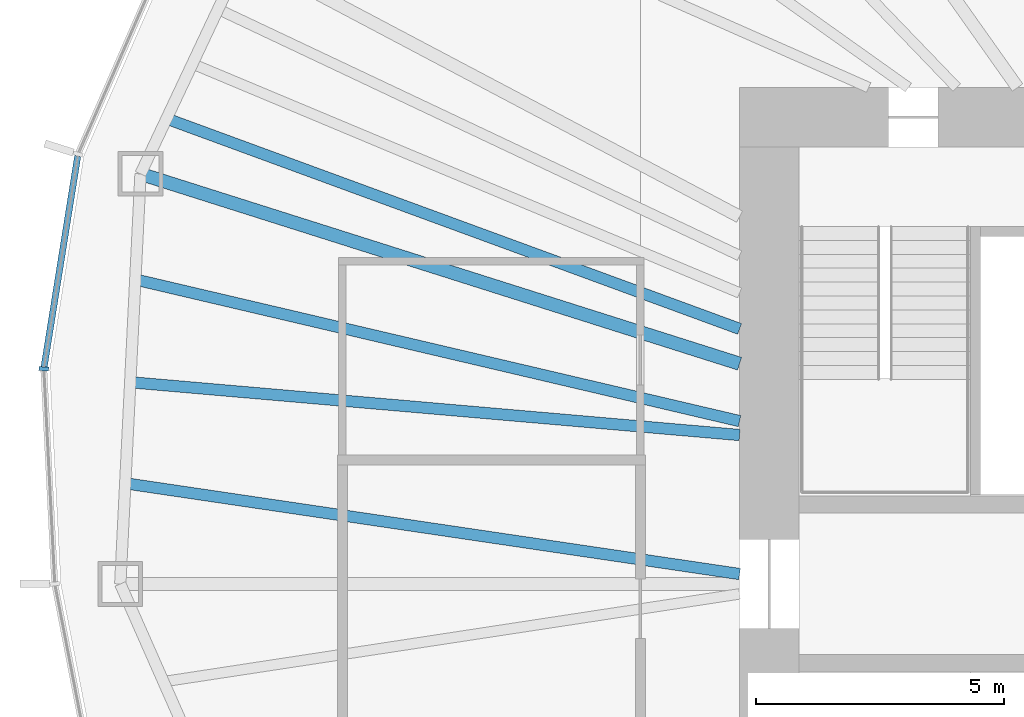
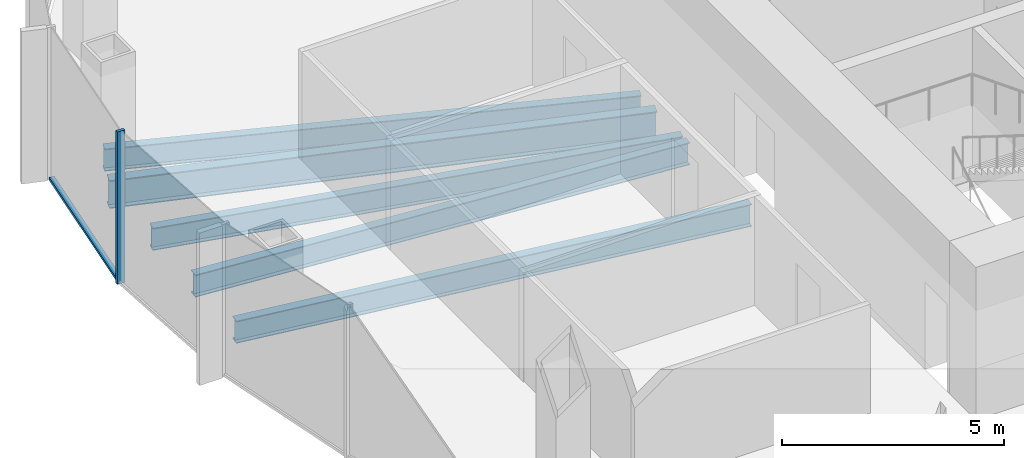
# One storey, part 3 of 11: 5 beams, 2 members, 1 element without a shape of its own.
"""IFC4 building model written with IfcOpenShell, lengths in metres."""

from ifc_helpers import new_model, si_unit, direction, frame, origin, origin_2d, place, context, subcontext, project, spatial, rectangle, i_section, extrude, material, material_profile, profile_set, type_object, element, aggregate, save


model = new_model("IFC4")

# Units and contexts
model_context = context("Model", 3, precision=1e-05, world=origin(), true_north=direction((0.0, 1.0)))
body_context = subcontext(model_context, "Body", "Model", "MODEL_VIEW")
ifc_project = project(units=[si_unit("LENGTHUNIT", "METRE"), si_unit("AREAUNIT", "SQUARE_METRE"), si_unit("VOLUMEUNIT", "CUBIC_METRE"), si_unit("PLANEANGLEUNIT", "RADIAN"), si_unit("MASSUNIT", "GRAM", prefix="KILO")], contexts=[model_context])

# Site, building, storey
site_placement = place(None, origin())
site = spatial("IfcSite", under=ifc_project, at=site_placement, CompositionType="ELEMENT")
building_placement = place(site_placement, origin())
building = spatial("IfcBuilding", under=site, at=building_placement, Name="Ghaith Harvest Tower", CompositionType="ELEMENT")
storey_placement = place(building_placement, frame((0.0, 0.0, 262.0)))
storey = spatial("IfcBuildingStorey", under=building, at=storey_placement, Name="L58", CompositionType="ELEMENT", Elevation=262.0)

# Curtain wall, members
ifc_material_1 = material(Name="Black anodised aluminium and fritted glass", Category="aluminium")
curtain_wall_type = type_object("IfcCurtainWallType", Name="CW-H CURTAIN WALL", PredefinedType="NOTDEFINED", material=ifc_material_1)
curtain_wall_placement = place(storey_placement, origin())
curtain_wall = element("IfcCurtainWall", 1, at=curtain_wall_placement, inside=storey, type_object=curtain_wall_type, Name="Curtain wall CW-H bay 10 L58", PredefinedType="NOTDEFINED")
ifc_material_2 = material(Name="Aluminium, black anodised", Category="aluminium")
ifc_material_profile_1 = material_profile(ifc_material_2, rectangle(XDim=0.080078125, YDim=0.199951171875, at=origin_2d()), Name="CW-H MULLION 80x200")
ifc_profile_set_1 = profile_set([ifc_material_profile_1], Name="Aluminium, black anodised")
member_type_1 = type_object("IfcMemberType", Name="CW-H MULLION 80x200", PredefinedType="MULLION", material=ifc_profile_set_1)
member_1_placement = place(storey_placement, frame((-28.015869140625, 4.333251953125, 0.0), z_axis=(0.0, 0.0, 1.0), x_axis=(-0.054116047044, -0.998534653105, 0.0)))
member_1 = element("IfcMember", 2, at=member_1_placement, type_object=member_type_1, Name="CW-H mullion 2 bay 10 L58", PredefinedType="MULLION", context=body_context, shape_type="SweptSolid", body=[
    extrude(rectangle(XDim=0.080078125, YDim=0.199951171875, at=origin_2d()), origin(), (0.0, 0.0, 1.0), 4.199951171875),
])
ifc_material_3 = material(Name="Aluminium, black anodised", Category="aluminium")
ifc_material_profile_2 = material_profile(ifc_material_3, rectangle(XDim=0.1298828125, YDim=0.080078125, at=origin_2d()), Name="CW-H TRANSOM 130x80")
ifc_profile_set_2 = profile_set([ifc_material_profile_2], Name="Aluminium, black anodised")
member_type_2 = type_object("IfcMemberType", Name="CW-H TRANSOM 130x80", PredefinedType="USERDEFINED", material=ifc_profile_set_2)
member_2_placement = place(storey_placement, frame((-27.33203125, 8.62060546875, 0.0400390625), z_axis=(-0.157492444441, -0.98752019217, 0.0), x_axis=(0.98752019217, -0.157492444441, 0.0)))
member_2 = element("IfcMember", 3, at=member_2_placement, type_object=member_type_2, Name="CW-H transom 1 bay 10 L58", ObjectType="TRANSOM", PredefinedType="USERDEFINED", context=body_context, shape_type="SweptSolid", body=[
    extrude(rectangle(XDim=0.1298828125, YDim=0.080078125, at=origin_2d()), origin(), (0.0, 0.0, 1.0), 4.3017578125),
])
aggregate(curtain_wall, [member_2, member_1])

# Beams
ifc_material_4 = material(Name="Steel ASTM A992 Grade 50", Category="steel")
ifc_material_profile_3 = material_profile(ifc_material_4, i_section(OverallWidth=0.26806640625, OverallDepth=0.77001953125, WebThickness=0.015625, FlangeThickness=0.025390625, at=origin_2d()), Name="W760X196")
ifc_profile_set_3 = profile_set([ifc_material_profile_3], Name="Steel ASTM A992 Grade 50")
beam_type_1 = type_object("IfcBeamType", Name="G760-196 W760X196", PredefinedType="BEAM", material=ifc_profile_set_3)
beam_1_placement = place(storey_placement, frame((-14.0, 4.43701171875, -0.554931640625), z_axis=(-0.953278738841, 0.302092115212, 0.0), x_axis=(-0.302092115212, -0.953278738841, 0.0)))
element("IfcBeam", 4, at=beam_1_placement, inside=storey, type_object=beam_type_1, Name="Radial girder G10 L58", PredefinedType="BEAM", context=body_context, shape_type="SweptSolid", body=[
    extrude(i_section(OverallWidth=0.26806640625, OverallDepth=0.77001953125, WebThickness=0.015625, FlangeThickness=0.025390625, at=origin_2d()), origin(), (0.0, 0.0, 1.0), 12.658203125),
])
ifc_material_5 = material(Name="Steel ASTM A992 Grade 50", Category="steel")
ifc_material_profile_4 = material_profile(ifc_material_5, i_section(OverallWidth=0.22900390625, OverallDepth=0.612060546875, WebThickness=0.011962890625, FlangeThickness=0.01953125, at=origin_2d()), Name="W610X125")
ifc_profile_set_4 = profile_set([ifc_material_profile_4], Name="Steel ASTM A992 Grade 50")
beam_type_2 = type_object("IfcBeamType", Name="J610-125 W610X125", PredefinedType="JOIST", material=ifc_profile_set_4)
beam_2_placement = place(storey_placement, frame((-14.0, 5.137939453125, -0.47607421875), z_axis=(-0.938775301049, 0.344530019216, 0.0), x_axis=(-0.344530019216, -0.938775301049, 0.0)))
element("IfcBeam", 5, at=beam_2_placement, inside=storey, type_object=beam_type_2, Name="Joist J09.3 L58", PredefinedType="JOIST", context=body_context, shape_type="SweptSolid", body=[
    extrude(i_section(OverallWidth=0.22900390625, OverallDepth=0.612060546875, WebThickness=0.011962890625, FlangeThickness=0.01953125, at=origin_2d()), origin(), (0.0, 0.0, 1.0), 12.295166015625),
])
beam_3_placement = place(storey_placement, frame((-14.0, 3.280517578125, -0.47607421875), z_axis=(-0.973621665777, 0.228168472691, 0.0), x_axis=(-0.228168472691, -0.973621665777, 0.0)))
element("IfcBeam", 6, at=beam_3_placement, inside=storey, type_object=beam_type_2, Name="Joist J10.1 L58", PredefinedType="JOIST", context=body_context, shape_type="SweptSolid", body=[
    extrude(i_section(OverallWidth=0.22900390625, OverallDepth=0.612060546875, WebThickness=0.011962890625, FlangeThickness=0.01953125, at=origin_2d()), origin(), (0.0, 0.0, 1.0), 12.501953125),
])
beam_4_placement = place(storey_placement, frame((-14.0, 3.0, -0.47607421875), z_axis=(-0.996265900996, 0.086338024716, 0.0), x_axis=(-0.086338024716, -0.996265900996, 0.0)))
element("IfcBeam", 7, at=beam_4_placement, inside=storey, type_object=beam_type_2, Name="Joist J10.2 L58", PredefinedType="JOIST", context=body_context, shape_type="SweptSolid", body=[
    extrude(i_section(OverallWidth=0.22900390625, OverallDepth=0.612060546875, WebThickness=0.011962890625, FlangeThickness=0.01953125, at=origin_2d()), origin(), (0.0, 0.0, 1.0), 12.3203125),
])
beam_5_placement = place(storey_placement, frame((-14.0, 0.199951171875, -0.47607421875), z_axis=(-0.989269378665, 0.146103033631, 0.0), x_axis=(-0.146103033631, -0.989269378665, 0.0)))
element("IfcBeam", 8, at=beam_5_placement, inside=storey, type_object=beam_type_2, Name="Joist J10.3 L58", PredefinedType="JOIST", context=body_context, shape_type="SweptSolid", body=[
    extrude(i_section(OverallWidth=0.22900390625, OverallDepth=0.612060546875, WebThickness=0.011962890625, FlangeThickness=0.01953125, at=origin_2d()), origin(), (0.0, 0.0, 1.0), 12.50927734375),
])

save(model, "model.ifc")
